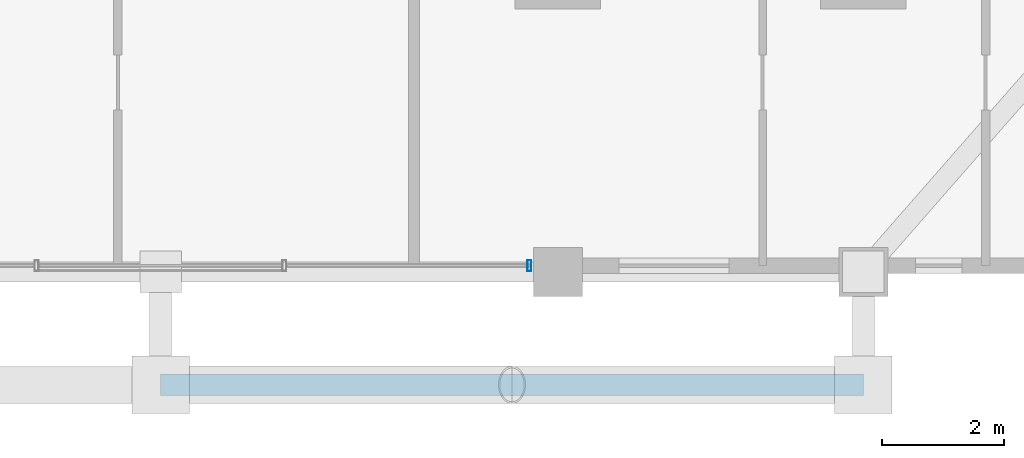
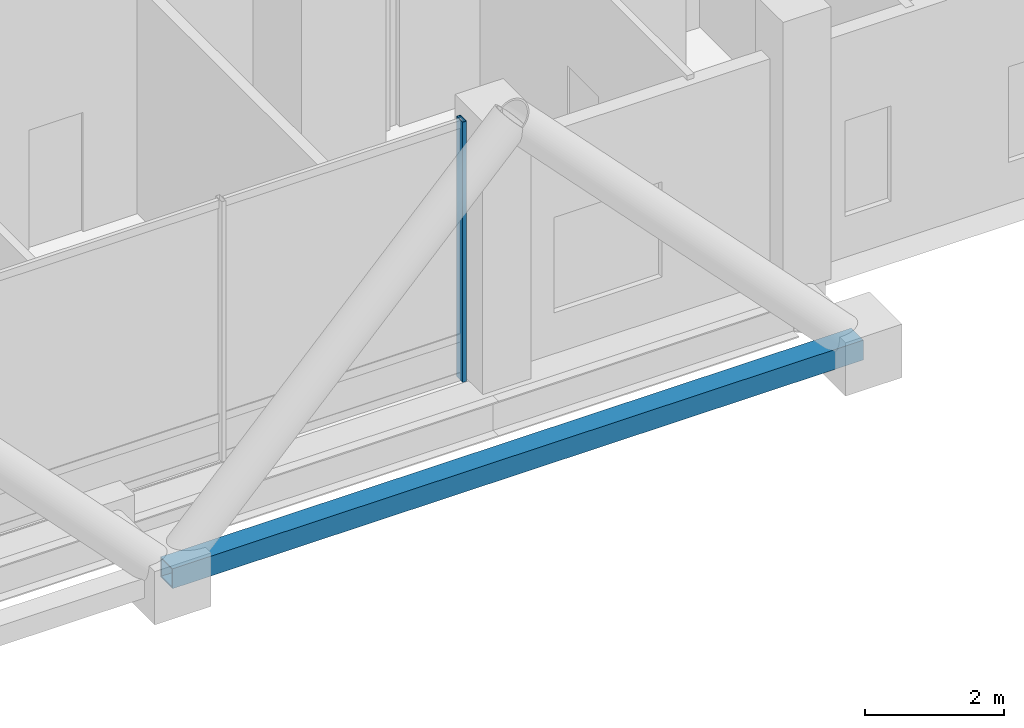
# One storey, part 4 of 33: 2 members, 1 element without a shape of its own.
"""IFC4 building model written with IfcOpenShell, lengths in metres."""

from ifc_helpers import new_model, si_unit, direction, frame, origin, origin_2d, place, context, subcontext, project, spatial, hollow_rectangle, extrude, material, layer, layer_set, material_profile, profile_set, type_object, element, aggregate, save


model = new_model("IFC4")

# Units and contexts
model_context = context("Model", 3, precision=1e-05, world=origin(), true_north=direction((0.0, 1.0)))
body_context = subcontext(model_context, "Body", "Model", "MODEL_VIEW")
ifc_project = project(units=[si_unit("LENGTHUNIT", "METRE"), si_unit("AREAUNIT", "SQUARE_METRE"), si_unit("VOLUMEUNIT", "CUBIC_METRE"), si_unit("PLANEANGLEUNIT", "RADIAN"), si_unit("MASSUNIT", "GRAM", prefix="KILO")], contexts=[model_context])

# Site, building, storey
site_placement = place(None, origin())
site = spatial("IfcSite", under=ifc_project, at=site_placement, CompositionType="ELEMENT")
building_placement = place(site_placement, origin())
building = spatial("IfcBuilding", under=site, at=building_placement, Name="Barlavira Tower and Art Museum", CompositionType="ELEMENT")
storey_placement = place(building_placement, frame((0.0, 0.0, 27.60009765625)))
storey = spatial("IfcBuildingStorey", under=building, at=storey_placement, Name="L05", CompositionType="ELEMENT", Elevation=27.60009765625)

# Curtain wall, member
ifc_material_1 = material(Name="Low-iron coastal laminated glass", Category="glass")
ifc_layer = layer(ifc_material_1, 0.179931640625, Name="Low-iron coastal laminated glass")
ifc_layer_set = layer_set([ifc_layer], Name="Low-iron coastal laminated glass")
curtain_wall_type = type_object("IfcCurtainWallType", Name="Pale-Metal Unitised Curtain Wall Zone 1", PredefinedType="NOTDEFINED", material=ifc_layer_set)
curtain_wall_placement = place(storey_placement, origin())
curtain_wall = element("IfcCurtainWall", 1, at=curtain_wall_placement, inside=storey, type_object=curtain_wall_type, Name="L05 Curtain Wall CW1-L05-S-B3", PredefinedType="NOTDEFINED")
ifc_material_2 = material(Name="Pale anodised aluminium", Category="aluminium")
ifc_material_profile_1 = material_profile(ifc_material_2, hollow_rectangle(XDim=0.06494140625, YDim=0.179931640625, WallThickness=0.00390625, at=origin_2d()), Name="ALU-MULL 65x180x4")
ifc_profile_set_1 = profile_set([ifc_material_profile_1], Name="Pale anodised aluminium")
member_type_1 = type_object("IfcMemberType", Name="Curtain Wall Pale-Metal Mullion 65x180", PredefinedType="MULLION", material=ifc_profile_set_1)
member_1_placement = place(storey_placement, frame((6.034912109375, -24.89990234375, 0.0), z_axis=(0.0, 0.0, 1.0), x_axis=(1.0, 0.0, 0.0)))
member_1 = element("IfcMember", 2, at=member_1_placement, type_object=member_type_1, Name="CW1-L05-S-B3 Mullion 3", PredefinedType="MULLION", context=body_context, shape_type="SweptSolid", body=[
    extrude(hollow_rectangle(XDim=0.06494140625, YDim=0.179931640625, WallThickness=0.00390625, at=origin_2d()), origin(), (0.0, 0.0, 1.0), 4.579833984375),
])
aggregate(curtain_wall, [member_1])

# Member
ifc_material_3 = material(Name="Steel S355", Category="steel")
ifc_material_profile_2 = material_profile(ifc_material_3, hollow_rectangle(XDim=0.35009765625, YDim=0.35009765625, WallThickness=0.02001953125, at=origin_2d()), Name="SHS 350x350x20.0")
ifc_profile_set_2 = profile_set([ifc_material_profile_2], Name="Steel S355")
member_type_2 = type_object("IfcMemberType", Name="Pale-Metal Exoskeleton Ring Strut SHS 350x350x20 Steel S355", PredefinedType="STRUT", material=ifc_profile_set_2)
member_2_placement = place(storey_placement, frame((0.0, -26.85009765625, -0.1201171875), z_axis=(1.0, 0.0, 0.0), x_axis=(0.0, 1.0, 0.0)))
element("IfcMember", 3, at=member_2_placement, inside=storey, type_object=member_type_2, Name="L05 Exoskeleton Ring Strut S", PredefinedType="STRUT", context=body_context, shape_type="SweptSolid", body=[
    extrude(hollow_rectangle(XDim=0.35009765625, YDim=0.35009765625, WallThickness=0.02001953125, at=origin_2d()), origin(), (0.0, 0.0, 1.0), 11.5),
])

save(model, "model.ifc")
